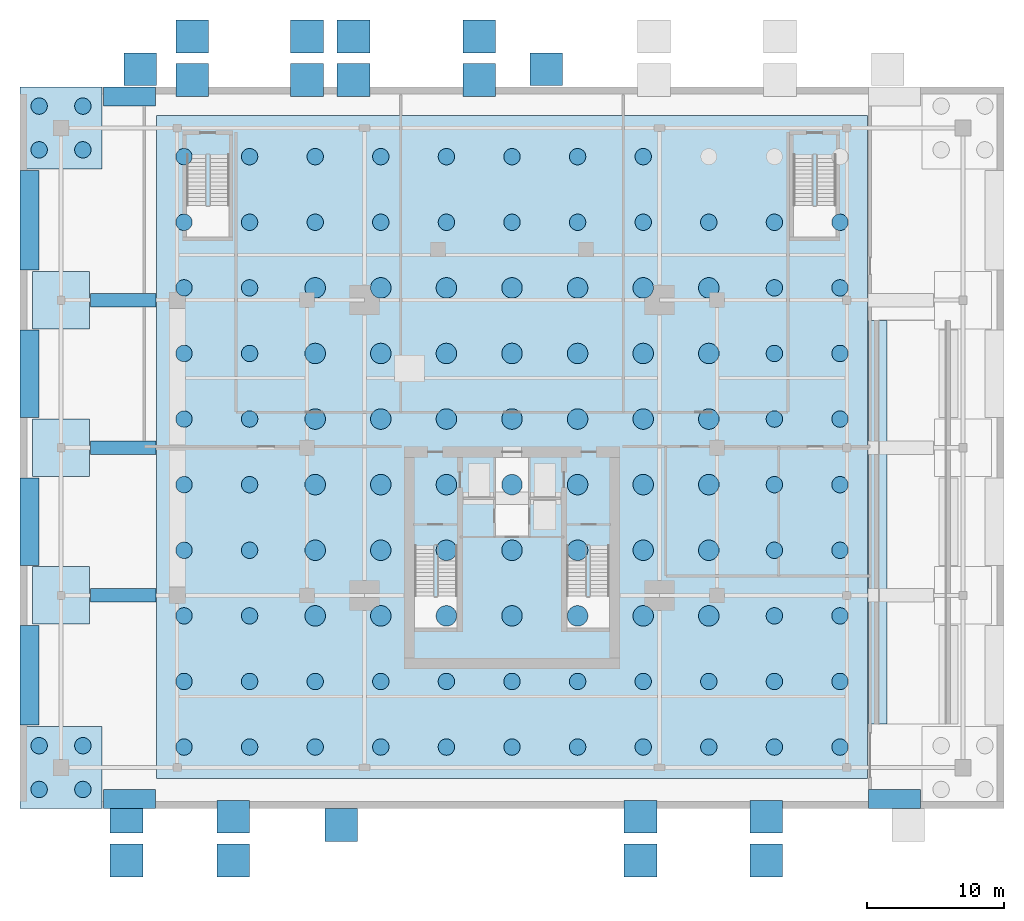
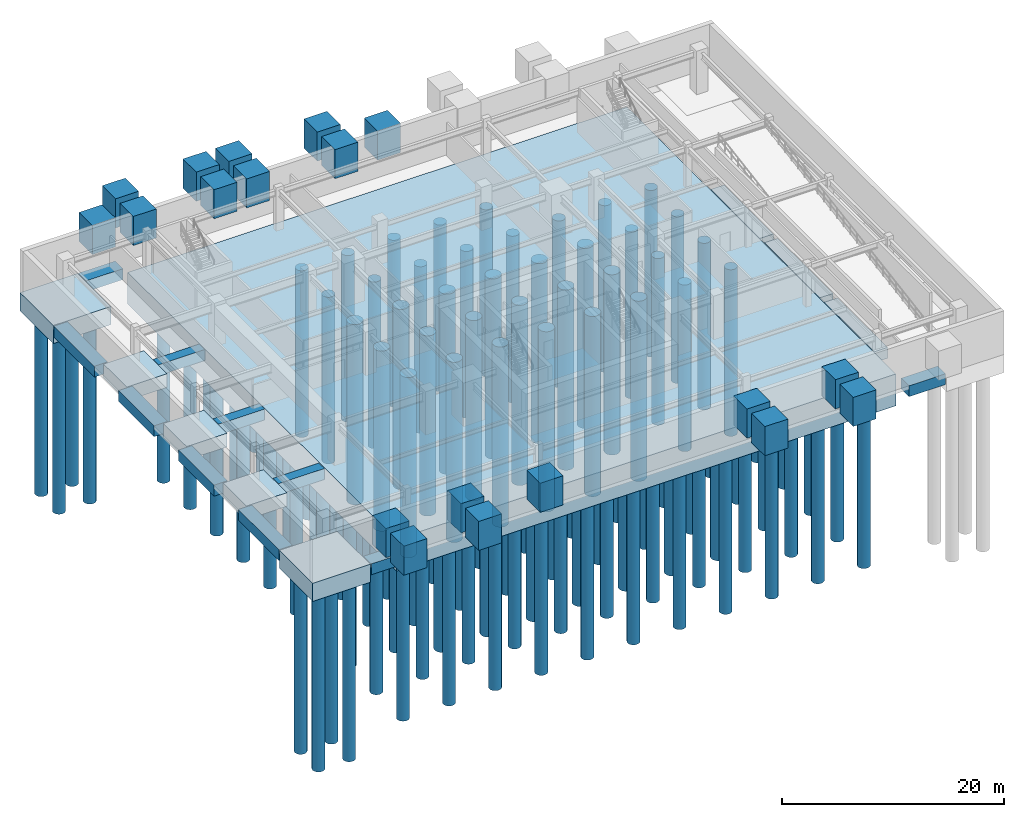
# One storey, part 1 of 9: 115 piles, 38 footings.
"""IFC4 building model written with IfcOpenShell, lengths in metres."""

from ifc_helpers import new_model, si_unit, direction, frame, origin, origin_2d, place, context, subcontext, project, spatial, polyline, rectangle, circle, outline, extrude, source, transform, mapped, material, layer, layer_set, material_profile, profile_set, type_object, type_shapes, element, save


model = new_model("IFC4")

# Units and contexts
model_context = context("Model", 3, precision=1e-05, world=origin(), true_north=direction((0.0, 1.0)))
body_context = subcontext(model_context, "Body", "Model", "MODEL_VIEW")
ifc_project = project(units=[si_unit("LENGTHUNIT", "METRE"), si_unit("AREAUNIT", "SQUARE_METRE"), si_unit("VOLUMEUNIT", "CUBIC_METRE"), si_unit("PLANEANGLEUNIT", "RADIAN"), si_unit("MASSUNIT", "GRAM", prefix="KILO")], contexts=[model_context])

# Site, building, storey
site_placement = place(None, origin())
site = spatial("IfcSite", under=ifc_project, at=site_placement, CompositionType="ELEMENT")
building_placement = place(site_placement, origin())
building = spatial("IfcBuilding", under=site, at=building_placement, Name="Krantzveldt Concourse Tower", CompositionType="ELEMENT")
storey_placement = place(building_placement, frame((0.0, 0.0, -4.800048828125)))
storey = spatial("IfcBuildingStorey", under=building, at=storey_placement, Name="B1", CompositionType="ELEMENT", Elevation=-4.800048828125)

# Footings
ifc_material_1 = material(Name="Concrete C60/75", Category="concrete")
ifc_layer_1 = layer(ifc_material_1, 3.5, Name="Concrete C60/75", Category="concrete")
ifc_layer_set_1 = layer_set([ifc_layer_1], Name="Concrete C60/75 (FT-RAFT-3500)")
footing_type_1 = type_object("IfcFootingType", Name="FT-RAFT-3500", PredefinedType="PILE_CAP", material=ifc_layer_set_1)
footing_1_placement = place(storey_placement, frame((0.0, 0.0, -3.5)))
element("IfcFooting", 1, at=footing_1_placement, inside=storey, type_object=footing_type_1, Name="Tower Piled Raft Foundation FC-RAFT", PredefinedType="PILE_CAP", context=body_context, shape_type="SweptSolid", body=[
    extrude(outline(polyline([(10.0, 2.5), (62.0, 2.5), (62.0, 51.0), (10.0, 51.0), (10.0, 2.5)])), origin(), (0.0, 0.0, 1.0), 3.5),
])
ifc_layer_2 = layer(ifc_material_1, 2.0, Name="Concrete C60/75", Category="concrete")
ifc_layer_set_2 = layer_set([ifc_layer_2], Name="Concrete C60/75 (FT-CAP-6000)")
footing_type_2 = type_object("IfcFootingType", Name="FT-CAP-6000", PredefinedType="PILE_CAP", material=ifc_layer_set_2)
shared_shape_1 = source(origin(), body_context, "Body", "SweptSolid", [
    extrude(rectangle(XDim=6.0, YDim=6.0, at=origin_2d()), origin(), (0.0, 0.0, 1.0), 2.0),
])
type_shapes(footing_type_2, [shared_shape_1])
for number, where, z_axis, x_axis, name in (
    (2, (3.0, 3.300048828125, -2.0), (0.0, 0.0, 1.0), (1.0, 0.0, 0.0), "Podium Corner Pile Cap FT-CAP-SW"),
    (3, (3.0, 50.10009765625, -2.0), (0.0, 0.0, 1.0), (1.0, 0.0, 0.0), "Podium Corner Pile Cap FT-CAP-NW"),
):
    element("IfcFooting", number, at=place(storey_placement, frame(where, z_axis=z_axis, x_axis=x_axis)), inside=storey, type_object=footing_type_2, Name=name, PredefinedType="PILE_CAP", context=body_context, shape_type="MappedRepresentation", body=[
        mapped(shared_shape_1, transform((0.0, 0.0, 0.0), x_axis=(1.0, 0.0, 0.0), y_axis=(0.0, 1.0, 0.0), z_axis=(0.0, 0.0, 1.0), scale=1.0)),
    ])

# Piles
ifc_material_2 = material(Name="Concrete C50/60", Category="concrete")
ifc_material_profile_1 = material_profile(ifc_material_2, circle(Radius=0.60009765625, at=origin_2d()), Name="Concrete C50/60", Category="concrete")
ifc_profile_set_1 = profile_set([ifc_material_profile_1], Name="Concrete C50/60 - PILE D1200")
pile_type_1 = type_object("IfcPileType", Name="PL-BORED-1200", PredefinedType="BORED", material=ifc_profile_set_1)
shared_shape_2 = source(origin(), body_context, "Body", "SweptSolid", [
    extrude(circle(Radius=0.60009765625, at=origin_2d()), origin(), (0.0, 0.0, 1.0), 19.85009765625),
])
for number, where, z_axis, x_axis, name in (
    (4, (1.39990234375, 1.699951171875, -1.849853515625), (0.0, 0.0, -1.0), (1.0, 0.0, 0.0), "Rock-Socketed Bored Pile FT-CAP-SW-1"),
    (5, (4.60009765625, 1.699951171875, -1.849853515625), (0.0, 0.0, -1.0), (1.0, 0.0, 0.0), "Rock-Socketed Bored Pile FT-CAP-SW-2"),
    (6, (4.60009765625, 4.89990234375, -1.849853515625), (0.0, 0.0, -1.0), (1.0, 0.0, 0.0), "Rock-Socketed Bored Pile FT-CAP-SW-3"),
    (7, (1.39990234375, 4.89990234375, -1.849853515625), (0.0, 0.0, -1.0), (1.0, 0.0, 0.0), "Rock-Socketed Bored Pile FT-CAP-SW-4"),
    (8, (1.39990234375, 48.5, -1.849853515625), (0.0, 0.0, -1.0), (1.0, 0.0, 0.0), "Rock-Socketed Bored Pile FT-CAP-NW-1"),
    (9, (4.60009765625, 48.5, -1.849853515625), (0.0, 0.0, -1.0), (1.0, 0.0, 0.0), "Rock-Socketed Bored Pile FT-CAP-NW-2"),
    (10, (4.60009765625, 51.699951171875, -1.849853515625), (0.0, 0.0, -1.0), (1.0, 0.0, 0.0), "Rock-Socketed Bored Pile FT-CAP-NW-3"),
    (11, (1.39990234375, 51.699951171875, -1.849853515625), (0.0, 0.0, -1.0), (1.0, 0.0, 0.0), "Rock-Socketed Bored Pile FT-CAP-NW-4"),
):
    element("IfcPile", number, at=place(storey_placement, frame(where, z_axis=z_axis, x_axis=x_axis)), inside=storey, type_object=pile_type_1, Name=name, PredefinedType="BORED", context=body_context, shape_type="MappedRepresentation", body=[
        mapped(shared_shape_2, transform((0.0, 0.0, 0.0), x_axis=(1.0, 0.0, 0.0), y_axis=(0.0, 1.0, 0.0), z_axis=(0.0, 0.0, 1.0), scale=1.0)),
    ])

# Footings
ifc_layer_3 = layer(ifc_material_2, 1.5, Name="Concrete C50/60", Category="concrete")
ifc_layer_set_3 = layer_set([ifc_layer_3], Name="Concrete C50/60 (FT-CAP-4800)")
footing_type_3 = type_object("IfcFootingType", Name="FT-CAP-4800", PredefinedType="PAD_FOOTING", material=ifc_layer_set_3)
shared_shape_3 = source(origin(), body_context, "Body", "SweptSolid", [
    extrude(rectangle(XDim=4.199951171875, YDim=4.199951171875, at=origin_2d()), origin(), (0.0, 0.0, 1.0), 1.5),
])
type_shapes(footing_type_3, [shared_shape_3])
for number, where, z_axis, x_axis, name in (
    (12, (3.0, 15.89990234375, -1.5), (0.0, 0.0, 1.0), (1.0, 0.0, 0.0), "Podium Pad Footing FT-PAD-W1"),
    (13, (3.0, 26.699951171875, -1.5), (0.0, 0.0, 1.0), (1.0, 0.0, 0.0), "Podium Pad Footing FT-PAD-W2"),
    (14, (3.0, 37.5, -1.5), (0.0, 0.0, 1.0), (1.0, 0.0, 0.0), "Podium Pad Footing FT-PAD-W3"),
):
    element("IfcFooting", number, at=place(storey_placement, frame(where, z_axis=z_axis, x_axis=x_axis)), inside=storey, type_object=footing_type_3, Name=name, PredefinedType="PAD_FOOTING", context=body_context, shape_type="MappedRepresentation", body=[
        mapped(shared_shape_3, transform((0.0, 0.0, 0.0), x_axis=(1.0, 0.0, 0.0), y_axis=(0.0, 1.0, 0.0), z_axis=(0.0, 0.0, 1.0), scale=1.0)),
    ])
ifc_material_3 = material(Name="Concrete C40/50", Category="concrete")
ifc_layer_4 = layer(ifc_material_3, 1.199951171875, Name="Concrete C40/50", Category="concrete")
ifc_layer_set_4 = layer_set([ifc_layer_4], Name="Concrete C40/50 (FT-PAD-2200)")
footing_type_4 = type_object("IfcFootingType", Name="FT-PAD-2200", PredefinedType="PAD_FOOTING", material=ifc_layer_set_4)
shared_shape_4 = source(origin(), body_context, "Body", "SweptSolid", [
    extrude(rectangle(XDim=2.39990234375, YDim=2.39990234375, at=origin_2d()), origin(), (0.0, 0.0, 1.0), 3.199951171875),
])
type_shapes(footing_type_4, [shared_shape_4])
for number, where, z_axis, x_axis, name in (
    (15, (12.60009765625, 56.800048828125, 1.60009765625), (0.0, 0.0, 1.0), (1.0, 0.0, 0.0), "Grade Support Pier Footing FT-CAN-N1W"),
    (16, (21.0, 56.800048828125, 1.60009765625), (0.0, 0.0, 1.0), (1.0, 0.0, 0.0), "Grade Support Pier Footing FT-CAN-N1E"),
    (17, (12.60009765625, 53.60009765625, 1.60009765625), (0.0, 0.0, 1.0), (1.0, 0.0, 0.0), "Grade Support Pier Footing FT-CAN-N1WI"),
    (18, (21.0, 53.60009765625, 1.60009765625), (0.0, 0.0, 1.0), (1.0, 0.0, 0.0), "Grade Support Pier Footing FT-CAN-N1EI"),
    (19, (24.39990234375, 56.800048828125, 1.60009765625), (0.0, 0.0, 1.0), (1.0, 0.0, 0.0), "Grade Support Pier Footing FT-CAN-N3W"),
    (20, (33.60009765625, 56.800048828125, 1.60009765625), (0.0, 0.0, 1.0), (1.0, 0.0, 0.0), "Grade Support Pier Footing FT-CAN-N3E"),
    (21, (24.39990234375, 53.60009765625, 1.60009765625), (0.0, 0.0, 1.0), (1.0, 0.0, 0.0), "Grade Support Pier Footing FT-CAN-N3WI"),
    (22, (33.60009765625, 53.60009765625, 1.60009765625), (0.0, 0.0, 1.0), (1.0, 0.0, 0.0), "Grade Support Pier Footing FT-CAN-N3EI"),
    (23, (7.800048828125, -3.5, 1.60009765625), (0.0, 0.0, 1.0), (1.0, 0.0, 0.0), "Grade Support Pier Footing FT-CAN-S1W"),
    (24, (15.60009765625, -3.5, 1.60009765625), (0.0, 0.0, 1.0), (1.0, 0.0, 0.0), "Grade Support Pier Footing FT-CAN-S1E"),
    (25, (7.800048828125, -0.300048828125, 1.60009765625), (0.0, 0.0, 1.0), (1.0, 0.0, 0.0), "Grade Support Pier Footing FT-CAN-S1WI"),
    (26, (15.60009765625, -0.300048828125, 1.60009765625), (0.0, 0.0, 1.0), (1.0, 0.0, 0.0), "Grade Support Pier Footing FT-CAN-S1EI"),
    (27, (45.39990234375, -3.5, 1.60009765625), (0.0, 0.0, 1.0), (1.0, 0.0, 0.0), "Grade Support Pier Footing FT-CAN-S2W"),
    (28, (54.60009765625, -3.5, 1.60009765625), (0.0, 0.0, 1.0), (1.0, 0.0, 0.0), "Grade Support Pier Footing FT-CAN-S2E"),
    (29, (45.39990234375, -0.300048828125, 1.60009765625), (0.0, 0.0, 1.0), (1.0, 0.0, 0.0), "Grade Support Pier Footing FT-CAN-S2WI"),
    (30, (54.60009765625, -0.300048828125, 1.60009765625), (0.0, 0.0, 1.0), (1.0, 0.0, 0.0), "Grade Support Pier Footing FT-CAN-S2EI"),
    (31, (8.800048828125, 54.39990234375, 1.4501953125), (0.0, 0.0, 1.0), (1.0, 0.0, 0.0), "Grade Support Pier Footing FT-RMP-N1"),
    (32, (23.5, -0.89990234375, 1.4501953125), (0.0, 0.0, 1.0), (1.0, 0.0, 0.0), "Grade Support Pier Footing FT-RMP-S1"),
    (33, (38.5, 54.39990234375, 1.4501953125), (0.0, 0.0, 1.0), (1.0, 0.0, 0.0), "Grade Support Pier Footing FT-RMP-N3"),
):
    element("IfcFooting", number, at=place(storey_placement, frame(where, z_axis=z_axis, x_axis=x_axis)), inside=storey, type_object=footing_type_4, Name=name, PredefinedType="PAD_FOOTING", context=body_context, shape_type="MappedRepresentation", body=[
        mapped(shared_shape_4, transform((0.0, 0.0, 0.0), x_axis=(1.0, 0.0, 0.0), y_axis=(0.0, 1.0, 0.0), z_axis=(0.0, 0.0, 1.0), scale=1.0)),
    ])
ifc_material_profile_2 = material_profile(ifc_material_2, rectangle(XDim=1.39990234375, YDim=1.199951171875, at=origin_2d()), Name="Concrete C50/60", Category="concrete")
ifc_profile_set_2 = profile_set([ifc_material_profile_2], Name="Concrete C50/60 - STRIP 1400x1200")
footing_type_5 = type_object("IfcFootingType", Name="FT-STRIP-1400", PredefinedType="STRIP_FOOTING", material=ifc_profile_set_2)
shared_shape_5 = source(origin(), body_context, "Body", "SweptSolid", [
    extrude(rectangle(XDim=1.39990234375, YDim=1.199951171875, at=origin_2d()), origin(), (0.0, 0.0, 1.0), 3.7998046875),
])
for number, where, z_axis, x_axis, name in (
    (34, (6.10009765625, 1.0, -0.599853515625), (1.0, 0.0, 0.0), (0.0, 1.0, 0.0), "FS-S1"),
    (35, (62.10009765625, 1.0, -0.599853515625), (1.0, 0.0, 0.0), (0.0, 1.0, 0.0), "FS-S2"),
    (36, (6.10009765625, 52.39990234375, -0.599853515625), (1.0, 0.0, 0.0), (0.0, 1.0, 0.0), "FS-N1"),
):
    element("IfcFooting", number, at=place(storey_placement, frame(where, z_axis=z_axis, x_axis=x_axis)), inside=storey, type_object=footing_type_5, Name=name, PredefinedType="STRIP_FOOTING", context=body_context, shape_type="MappedRepresentation", body=[
        mapped(shared_shape_5, transform((0.0, 0.0, 0.0), x_axis=(1.0, 0.0, 0.0), y_axis=(0.0, 1.0, 0.0), z_axis=(0.0, 0.0, 1.0), scale=1.0)),
    ])
shared_shape_6 = source(origin(), body_context, "Body", "SweptSolid", [
    extrude(rectangle(XDim=1.39990234375, YDim=1.199951171875, at=origin_2d()), origin(), (0.0, 0.0, 1.0), 7.300048828125),
])
for number, where, z_axis, x_axis, name in (
    (37, (0.699951171875, 6.39990234375, -0.599853515625), (0.0, 1.0, 0.0), (-1.0, 0.0, 0.0), "FS-W1"),
    (38, (0.699951171875, 39.699951171875, -0.599853515625), (0.0, 1.0, 0.0), (-1.0, 0.0, 0.0), "FS-W4"),
):
    element("IfcFooting", number, at=place(storey_placement, frame(where, z_axis=z_axis, x_axis=x_axis)), inside=storey, type_object=footing_type_5, Name=name, PredefinedType="STRIP_FOOTING", context=body_context, shape_type="MappedRepresentation", body=[
        mapped(shared_shape_6, transform((0.0, 0.0, 0.0), x_axis=(1.0, 0.0, 0.0), y_axis=(0.0, 1.0, 0.0), z_axis=(0.0, 0.0, 1.0), scale=1.0)),
    ])
shared_shape_7 = source(origin(), body_context, "Body", "SweptSolid", [
    extrude(rectangle(XDim=1.39990234375, YDim=1.199951171875, at=origin_2d()), origin(), (0.0, 0.0, 1.0), 6.39990234375),
])
footing_2_placement = place(storey_placement, frame((0.699951171875, 18.10009765625, -0.599853515625), z_axis=(0.0, 1.0, 0.0), x_axis=(-1.0, 0.0, 0.0)))
element("IfcFooting", 39, at=footing_2_placement, inside=storey, type_object=footing_type_5, Name="FS-W2", PredefinedType="STRIP_FOOTING", context=body_context, shape_type="MappedRepresentation", body=[
    mapped(shared_shape_7, transform((0.0, 0.0, 0.0), x_axis=(1.0, 0.0, 0.0), y_axis=(0.0, 1.0, 0.0), z_axis=(0.0, 0.0, 1.0), scale=1.0)),
])
shared_shape_8 = source(origin(), body_context, "Body", "SweptSolid", [
    extrude(rectangle(XDim=1.39990234375, YDim=1.199951171875, at=origin_2d()), origin(), (0.0, 0.0, 1.0), 6.400146484375),
])
footing_3_placement = place(storey_placement, frame((0.699951171875, 28.89990234375, -0.599853515625), z_axis=(0.0, 1.0, 0.0), x_axis=(-1.0, 0.0, 0.0)))
element("IfcFooting", 40, at=footing_3_placement, inside=storey, type_object=footing_type_5, Name="FS-W3", PredefinedType="STRIP_FOOTING", context=body_context, shape_type="MappedRepresentation", body=[
    mapped(shared_shape_8, transform((0.0, 0.0, 0.0), x_axis=(1.0, 0.0, 0.0), y_axis=(0.0, 1.0, 0.0), z_axis=(0.0, 0.0, 1.0), scale=1.0)),
])
shared_shape_9 = source(origin(), body_context, "Body", "SweptSolid", [
    extrude(rectangle(XDim=1.39990234375, YDim=1.199951171875, at=origin_2d()), origin(), (0.0, 0.0, 1.0), 9.0),
])
footing_4_placement = place(storey_placement, frame((62.75, 6.5, -0.599853515625), z_axis=(0.0, 1.0, 0.0), x_axis=(-1.0, 0.0, 0.0)))
element("IfcFooting", 41, at=footing_4_placement, inside=storey, type_object=footing_type_5, Name="FS-VRW1", PredefinedType="STRIP_FOOTING", context=body_context, shape_type="MappedRepresentation", body=[
    mapped(shared_shape_9, transform((0.0, 0.0, 0.0), x_axis=(1.0, 0.0, 0.0), y_axis=(0.0, 1.0, 0.0), z_axis=(0.0, 0.0, 1.0), scale=1.0)),
])
shared_shape_10 = source(origin(), body_context, "Body", "SweptSolid", [
    extrude(rectangle(XDim=1.39990234375, YDim=1.199951171875, at=origin_2d()), origin(), (0.0, 0.0, 1.0), 10.0),
])
footing_5_placement = place(storey_placement, frame((62.75, 16.300048828125, -0.599853515625), z_axis=(0.0, 1.0, 0.0), x_axis=(-1.0, 0.0, 0.0)))
element("IfcFooting", 42, at=footing_5_placement, inside=storey, type_object=footing_type_5, Name="FS-VRW2", PredefinedType="STRIP_FOOTING", context=body_context, shape_type="MappedRepresentation", body=[
    mapped(shared_shape_10, transform((0.0, 0.0, 0.0), x_axis=(1.0, 0.0, 0.0), y_axis=(0.0, 1.0, 0.0), z_axis=(0.0, 0.0, 1.0), scale=1.0)),
])
shared_shape_11 = source(origin(), body_context, "Body", "SweptSolid", [
    extrude(rectangle(XDim=1.39990234375, YDim=1.199951171875, at=origin_2d()), origin(), (0.0, 0.0, 1.0), 8.89990234375),
])
type_shapes(footing_type_5, [shared_shape_5, shared_shape_6, shared_shape_7, shared_shape_8, shared_shape_9, shared_shape_10, shared_shape_11])
footing_6_placement = place(storey_placement, frame((62.75, 27.10009765625, -0.599853515625), z_axis=(0.0, 1.0, 0.0), x_axis=(-1.0, 0.0, 0.0)))
element("IfcFooting", 43, at=footing_6_placement, inside=storey, type_object=footing_type_5, Name="FS-VRW3", PredefinedType="STRIP_FOOTING", context=body_context, shape_type="MappedRepresentation", body=[
    mapped(shared_shape_11, transform((0.0, 0.0, 0.0), x_axis=(1.0, 0.0, 0.0), y_axis=(0.0, 1.0, 0.0), z_axis=(0.0, 0.0, 1.0), scale=1.0)),
])
ifc_material_profile_3 = material_profile(ifc_material_2, rectangle(XDim=1.0, YDim=1.199951171875, at=origin_2d()), Name="Concrete C50/60", Category="concrete")
ifc_profile_set_3 = profile_set([ifc_material_profile_3], Name="Concrete C50/60 - FBEAM 1000x1200")
footing_type_6 = type_object("IfcFootingType", Name="FT-GBEAM-1000", PredefinedType="FOOTING_BEAM", material=ifc_profile_set_3)
shared_shape_12 = source(origin(), body_context, "Body", "SweptSolid", [
    extrude(rectangle(XDim=1.0, YDim=1.199951171875, at=origin_2d()), origin(), (0.0, 0.0, 1.0), 4.800048828125),
])
type_shapes(footing_type_6, [shared_shape_12])
for number, where, z_axis, x_axis, name in (
    (44, (5.14990234375, 15.89990234375, -0.599853515625), (1.0, 0.0, 0.0), (0.0, 1.0, 0.0), "FB-W1"),
    (45, (5.14990234375, 26.699951171875, -0.599853515625), (1.0, 0.0, 0.0), (0.0, 1.0, 0.0), "FB-W2"),
    (46, (5.14990234375, 37.5, -0.599853515625), (1.0, 0.0, 0.0), (0.0, 1.0, 0.0), "FB-W3"),
):
    element("IfcFooting", number, at=place(storey_placement, frame(where, z_axis=z_axis, x_axis=x_axis)), inside=storey, type_object=footing_type_6, Name=name, PredefinedType="FOOTING_BEAM", context=body_context, shape_type="MappedRepresentation", body=[
        mapped(shared_shape_12, transform((0.0, 0.0, 0.0), x_axis=(1.0, 0.0, 0.0), y_axis=(0.0, 1.0, 0.0), z_axis=(0.0, 0.0, 1.0), scale=1.0)),
    ])

# Piles
shared_shape_13 = source(origin(), body_context, "Body", "SweptSolid", [
    extrude(circle(Radius=0.60009765625, at=origin_2d()), origin(), (0.0, 0.0, 1.0), 18.35009765625),
])
type_shapes(pile_type_1, [shared_shape_2, shared_shape_13])
for number, where, z_axis, x_axis, name in (
    (47, (12.0, 4.800048828125, -3.349853515625), (0.0, 0.0, -1.0), (1.0, 0.0, 0.0), "Rock-Socketed Bored Pile 1"),
    (48, (12.0, 9.60009765625, -3.349853515625), (0.0, 0.0, -1.0), (1.0, 0.0, 0.0), "Rock-Socketed Bored Pile 2"),
    (49, (12.0, 14.39990234375, -3.349853515625), (0.0, 0.0, -1.0), (1.0, 0.0, 0.0), "Rock-Socketed Bored Pile 3"),
    (50, (12.0, 19.199951171875, -3.349853515625), (0.0, 0.0, -1.0), (1.0, 0.0, 0.0), "Rock-Socketed Bored Pile 4"),
    (51, (12.0, 24.0, -3.349853515625), (0.0, 0.0, -1.0), (1.0, 0.0, 0.0), "Rock-Socketed Bored Pile 5"),
    (52, (12.0, 28.800048828125, -3.349853515625), (0.0, 0.0, -1.0), (1.0, 0.0, 0.0), "Rock-Socketed Bored Pile 6"),
    (53, (12.0, 33.60009765625, -3.349853515625), (0.0, 0.0, -1.0), (1.0, 0.0, 0.0), "Rock-Socketed Bored Pile 7"),
    (54, (12.0, 38.39990234375, -3.349853515625), (0.0, 0.0, -1.0), (1.0, 0.0, 0.0), "Rock-Socketed Bored Pile 8"),
    (55, (12.0, 43.199951171875, -3.349853515625), (0.0, 0.0, -1.0), (1.0, 0.0, 0.0), "Rock-Socketed Bored Pile 9"),
    (56, (12.0, 48.0, -3.349853515625), (0.0, 0.0, -1.0), (1.0, 0.0, 0.0), "Rock-Socketed Bored Pile 10"),
    (57, (16.800048828125, 4.800048828125, -3.349853515625), (0.0, 0.0, -1.0), (1.0, 0.0, 0.0), "Rock-Socketed Bored Pile 11"),
    (58, (16.800048828125, 9.60009765625, -3.349853515625), (0.0, 0.0, -1.0), (1.0, 0.0, 0.0), "Rock-Socketed Bored Pile 12"),
    (59, (16.800048828125, 14.39990234375, -3.349853515625), (0.0, 0.0, -1.0), (1.0, 0.0, 0.0), "Rock-Socketed Bored Pile 13"),
    (60, (16.800048828125, 19.199951171875, -3.349853515625), (0.0, 0.0, -1.0), (1.0, 0.0, 0.0), "Rock-Socketed Bored Pile 14"),
    (61, (16.800048828125, 24.0, -3.349853515625), (0.0, 0.0, -1.0), (1.0, 0.0, 0.0), "Rock-Socketed Bored Pile 15"),
    (62, (16.800048828125, 28.800048828125, -3.349853515625), (0.0, 0.0, -1.0), (1.0, 0.0, 0.0), "Rock-Socketed Bored Pile 16"),
    (63, (16.800048828125, 33.60009765625, -3.349853515625), (0.0, 0.0, -1.0), (1.0, 0.0, 0.0), "Rock-Socketed Bored Pile 17"),
    (64, (16.800048828125, 38.39990234375, -3.349853515625), (0.0, 0.0, -1.0), (1.0, 0.0, 0.0), "Rock-Socketed Bored Pile 18"),
    (65, (16.800048828125, 43.199951171875, -3.349853515625), (0.0, 0.0, -1.0), (1.0, 0.0, 0.0), "Rock-Socketed Bored Pile 19"),
    (66, (16.800048828125, 48.0, -3.349853515625), (0.0, 0.0, -1.0), (1.0, 0.0, 0.0), "Rock-Socketed Bored Pile 20"),
    (67, (21.60009765625, 4.800048828125, -3.349853515625), (0.0, 0.0, -1.0), (1.0, 0.0, 0.0), "Rock-Socketed Bored Pile 21"),
    (68, (21.60009765625, 9.60009765625, -3.349853515625), (0.0, 0.0, -1.0), (1.0, 0.0, 0.0), "Rock-Socketed Bored Pile 22"),
    (69, (21.60009765625, 43.199951171875, -3.349853515625), (0.0, 0.0, -1.0), (1.0, 0.0, 0.0), "Rock-Socketed Bored Pile 29"),
    (70, (21.60009765625, 48.0, -3.349853515625), (0.0, 0.0, -1.0), (1.0, 0.0, 0.0), "Rock-Socketed Bored Pile 30"),
    (71, (26.39990234375, 4.800048828125, -3.349853515625), (0.0, 0.0, -1.0), (1.0, 0.0, 0.0), "Rock-Socketed Bored Pile 31"),
    (72, (26.39990234375, 9.60009765625, -3.349853515625), (0.0, 0.0, -1.0), (1.0, 0.0, 0.0), "Rock-Socketed Bored Pile 32"),
    (73, (26.39990234375, 43.199951171875, -3.349853515625), (0.0, 0.0, -1.0), (1.0, 0.0, 0.0), "Rock-Socketed Bored Pile 39"),
    (74, (26.39990234375, 48.0, -3.349853515625), (0.0, 0.0, -1.0), (1.0, 0.0, 0.0), "Rock-Socketed Bored Pile 40"),
    (75, (31.199951171875, 4.800048828125, -3.349853515625), (0.0, 0.0, -1.0), (1.0, 0.0, 0.0), "Rock-Socketed Bored Pile 41"),
    (76, (31.199951171875, 9.60009765625, -3.349853515625), (0.0, 0.0, -1.0), (1.0, 0.0, 0.0), "Rock-Socketed Bored Pile 42"),
    (77, (31.199951171875, 43.199951171875, -3.349853515625), (0.0, 0.0, -1.0), (1.0, 0.0, 0.0), "Rock-Socketed Bored Pile 49"),
    (78, (31.199951171875, 48.0, -3.349853515625), (0.0, 0.0, -1.0), (1.0, 0.0, 0.0), "Rock-Socketed Bored Pile 50"),
    (79, (36.0, 4.800048828125, -3.349853515625), (0.0, 0.0, -1.0), (1.0, 0.0, 0.0), "Rock-Socketed Bored Pile 51"),
    (80, (36.0, 9.60009765625, -3.349853515625), (0.0, 0.0, -1.0), (1.0, 0.0, 0.0), "Rock-Socketed Bored Pile 52"),
    (81, (36.0, 43.199951171875, -3.349853515625), (0.0, 0.0, -1.0), (1.0, 0.0, 0.0), "Rock-Socketed Bored Pile 59"),
    (82, (36.0, 48.0, -3.349853515625), (0.0, 0.0, -1.0), (1.0, 0.0, 0.0), "Rock-Socketed Bored Pile 60"),
    (83, (40.800048828125, 4.800048828125, -3.349853515625), (0.0, 0.0, -1.0), (1.0, 0.0, 0.0), "Rock-Socketed Bored Pile 61"),
    (84, (40.800048828125, 9.60009765625, -3.349853515625), (0.0, 0.0, -1.0), (1.0, 0.0, 0.0), "Rock-Socketed Bored Pile 62"),
    (85, (40.800048828125, 43.199951171875, -3.349853515625), (0.0, 0.0, -1.0), (1.0, 0.0, 0.0), "Rock-Socketed Bored Pile 69"),
    (86, (40.800048828125, 48.0, -3.349853515625), (0.0, 0.0, -1.0), (1.0, 0.0, 0.0), "Rock-Socketed Bored Pile 70"),
    (87, (45.60009765625, 4.800048828125, -3.349853515625), (0.0, 0.0, -1.0), (1.0, 0.0, 0.0), "Rock-Socketed Bored Pile 71"),
    (88, (45.60009765625, 9.60009765625, -3.349853515625), (0.0, 0.0, -1.0), (1.0, 0.0, 0.0), "Rock-Socketed Bored Pile 72"),
    (89, (45.60009765625, 43.199951171875, -3.349853515625), (0.0, 0.0, -1.0), (1.0, 0.0, 0.0), "Rock-Socketed Bored Pile 79"),
    (90, (45.60009765625, 48.0, -3.349853515625), (0.0, 0.0, -1.0), (1.0, 0.0, 0.0), "Rock-Socketed Bored Pile 80"),
    (91, (50.39990234375, 4.800048828125, -3.349853515625), (0.0, 0.0, -1.0), (1.0, 0.0, 0.0), "Rock-Socketed Bored Pile 81"),
    (92, (50.39990234375, 9.60009765625, -3.349853515625), (0.0, 0.0, -1.0), (1.0, 0.0, 0.0), "Rock-Socketed Bored Pile 82"),
    (93, (50.39990234375, 43.199951171875, -3.349853515625), (0.0, 0.0, -1.0), (1.0, 0.0, 0.0), "Rock-Socketed Bored Pile 89"),
    (94, (55.199951171875, 4.800048828125, -3.349853515625), (0.0, 0.0, -1.0), (1.0, 0.0, 0.0), "Rock-Socketed Bored Pile 91"),
    (95, (55.199951171875, 9.60009765625, -3.349853515625), (0.0, 0.0, -1.0), (1.0, 0.0, 0.0), "Rock-Socketed Bored Pile 92"),
    (96, (55.199951171875, 14.39990234375, -3.349853515625), (0.0, 0.0, -1.0), (1.0, 0.0, 0.0), "Rock-Socketed Bored Pile 93"),
    (97, (55.199951171875, 19.199951171875, -3.349853515625), (0.0, 0.0, -1.0), (1.0, 0.0, 0.0), "Rock-Socketed Bored Pile 94"),
    (98, (55.199951171875, 24.0, -3.349853515625), (0.0, 0.0, -1.0), (1.0, 0.0, 0.0), "Rock-Socketed Bored Pile 95"),
    (99, (55.199951171875, 28.800048828125, -3.349853515625), (0.0, 0.0, -1.0), (1.0, 0.0, 0.0), "Rock-Socketed Bored Pile 96"),
    (100, (55.199951171875, 33.60009765625, -3.349853515625), (0.0, 0.0, -1.0), (1.0, 0.0, 0.0), "Rock-Socketed Bored Pile 97"),
    (101, (55.199951171875, 38.39990234375, -3.349853515625), (0.0, 0.0, -1.0), (1.0, 0.0, 0.0), "Rock-Socketed Bored Pile 98"),
    (102, (55.199951171875, 43.199951171875, -3.349853515625), (0.0, 0.0, -1.0), (1.0, 0.0, 0.0), "Rock-Socketed Bored Pile 99"),
    (103, (60.0, 4.800048828125, -3.349853515625), (0.0, 0.0, -1.0), (1.0, 0.0, 0.0), "Rock-Socketed Bored Pile 101"),
    (104, (60.0, 9.60009765625, -3.349853515625), (0.0, 0.0, -1.0), (1.0, 0.0, 0.0), "Rock-Socketed Bored Pile 102"),
    (105, (60.0, 14.39990234375, -3.349853515625), (0.0, 0.0, -1.0), (1.0, 0.0, 0.0), "Rock-Socketed Bored Pile 103"),
    (106, (60.0, 19.199951171875, -3.349853515625), (0.0, 0.0, -1.0), (1.0, 0.0, 0.0), "Rock-Socketed Bored Pile 104"),
    (107, (60.0, 24.0, -3.349853515625), (0.0, 0.0, -1.0), (1.0, 0.0, 0.0), "Rock-Socketed Bored Pile 105"),
    (108, (60.0, 28.800048828125, -3.349853515625), (0.0, 0.0, -1.0), (1.0, 0.0, 0.0), "Rock-Socketed Bored Pile 106"),
    (109, (60.0, 33.60009765625, -3.349853515625), (0.0, 0.0, -1.0), (1.0, 0.0, 0.0), "Rock-Socketed Bored Pile 107"),
    (110, (60.0, 38.39990234375, -3.349853515625), (0.0, 0.0, -1.0), (1.0, 0.0, 0.0), "Rock-Socketed Bored Pile 108"),
    (111, (60.0, 43.199951171875, -3.349853515625), (0.0, 0.0, -1.0), (1.0, 0.0, 0.0), "Rock-Socketed Bored Pile 109"),
):
    element("IfcPile", number, at=place(storey_placement, frame(where, z_axis=z_axis, x_axis=x_axis)), inside=storey, type_object=pile_type_1, Name=name, PredefinedType="BORED", context=body_context, shape_type="MappedRepresentation", body=[
        mapped(shared_shape_13, transform((0.0, 0.0, 0.0), x_axis=(1.0, 0.0, 0.0), y_axis=(0.0, 1.0, 0.0), z_axis=(0.0, 0.0, 1.0), scale=1.0)),
    ])
ifc_material_profile_4 = material_profile(ifc_material_2, circle(Radius=0.75, at=origin_2d()), Name="Concrete C50/60", Category="concrete")
ifc_profile_set_4 = profile_set([ifc_material_profile_4], Name="Concrete C50/60 - PILE D1500")
pile_type_2 = type_object("IfcPileType", Name="PL-BORED-1500", PredefinedType="BORED", material=ifc_profile_set_4)
shared_shape_14 = source(origin(), body_context, "Body", "SweptSolid", [
    extrude(circle(Radius=0.75, at=origin_2d()), origin(), (0.0, 0.0, 1.0), 19.85009765625),
])
type_shapes(pile_type_2, [shared_shape_14])
for number, where, z_axis, x_axis, name in (
    (112, (21.60009765625, 14.39990234375, -3.349853515625), (0.0, 0.0, -1.0), (1.0, 0.0, 0.0), "Rock-Socketed Bored Pile 23"),
    (113, (21.60009765625, 19.199951171875, -3.349853515625), (0.0, 0.0, -1.0), (1.0, 0.0, 0.0), "Rock-Socketed Bored Pile 24"),
    (114, (21.60009765625, 24.0, -3.349853515625), (0.0, 0.0, -1.0), (1.0, 0.0, 0.0), "Rock-Socketed Bored Pile 25"),
    (115, (21.60009765625, 28.800048828125, -3.349853515625), (0.0, 0.0, -1.0), (1.0, 0.0, 0.0), "Rock-Socketed Bored Pile 26"),
    (116, (21.60009765625, 33.60009765625, -3.349853515625), (0.0, 0.0, -1.0), (1.0, 0.0, 0.0), "Rock-Socketed Bored Pile 27"),
    (117, (21.60009765625, 38.39990234375, -3.349853515625), (0.0, 0.0, -1.0), (1.0, 0.0, 0.0), "Rock-Socketed Bored Pile 28"),
    (118, (26.39990234375, 14.39990234375, -3.349853515625), (0.0, 0.0, -1.0), (1.0, 0.0, 0.0), "Rock-Socketed Bored Pile 33"),
    (119, (26.39990234375, 19.199951171875, -3.349853515625), (0.0, 0.0, -1.0), (1.0, 0.0, 0.0), "Rock-Socketed Bored Pile 34"),
    (120, (26.39990234375, 24.0, -3.349853515625), (0.0, 0.0, -1.0), (1.0, 0.0, 0.0), "Rock-Socketed Bored Pile 35"),
    (121, (26.39990234375, 28.800048828125, -3.349853515625), (0.0, 0.0, -1.0), (1.0, 0.0, 0.0), "Rock-Socketed Bored Pile 36"),
    (122, (26.39990234375, 33.60009765625, -3.349853515625), (0.0, 0.0, -1.0), (1.0, 0.0, 0.0), "Rock-Socketed Bored Pile 37"),
    (123, (26.39990234375, 38.39990234375, -3.349853515625), (0.0, 0.0, -1.0), (1.0, 0.0, 0.0), "Rock-Socketed Bored Pile 38"),
    (124, (31.199951171875, 14.39990234375, -3.349853515625), (0.0, 0.0, -1.0), (1.0, 0.0, 0.0), "Rock-Socketed Bored Pile 43"),
    (125, (31.199951171875, 19.199951171875, -3.349853515625), (0.0, 0.0, -1.0), (1.0, 0.0, 0.0), "Rock-Socketed Bored Pile 44"),
    (126, (31.199951171875, 24.0, -3.349853515625), (0.0, 0.0, -1.0), (1.0, 0.0, 0.0), "Rock-Socketed Bored Pile 45"),
    (127, (31.199951171875, 28.800048828125, -3.349853515625), (0.0, 0.0, -1.0), (1.0, 0.0, 0.0), "Rock-Socketed Bored Pile 46"),
    (128, (31.199951171875, 33.60009765625, -3.349853515625), (0.0, 0.0, -1.0), (1.0, 0.0, 0.0), "Rock-Socketed Bored Pile 47"),
    (129, (31.199951171875, 38.39990234375, -3.349853515625), (0.0, 0.0, -1.0), (1.0, 0.0, 0.0), "Rock-Socketed Bored Pile 48"),
    (130, (36.0, 14.39990234375, -3.349853515625), (0.0, 0.0, -1.0), (1.0, 0.0, 0.0), "Rock-Socketed Bored Pile 53"),
    (131, (36.0, 19.199951171875, -3.349853515625), (0.0, 0.0, -1.0), (1.0, 0.0, 0.0), "Rock-Socketed Bored Pile 54"),
    (132, (36.0, 24.0, -3.349853515625), (0.0, 0.0, -1.0), (1.0, 0.0, 0.0), "Rock-Socketed Bored Pile 55"),
    (133, (36.0, 28.800048828125, -3.349853515625), (0.0, 0.0, -1.0), (1.0, 0.0, 0.0), "Rock-Socketed Bored Pile 56"),
    (134, (36.0, 33.60009765625, -3.349853515625), (0.0, 0.0, -1.0), (1.0, 0.0, 0.0), "Rock-Socketed Bored Pile 57"),
    (135, (36.0, 38.39990234375, -3.349853515625), (0.0, 0.0, -1.0), (1.0, 0.0, 0.0), "Rock-Socketed Bored Pile 58"),
    (136, (40.800048828125, 14.39990234375, -3.349853515625), (0.0, 0.0, -1.0), (1.0, 0.0, 0.0), "Rock-Socketed Bored Pile 63"),
    (137, (40.800048828125, 19.199951171875, -3.349853515625), (0.0, 0.0, -1.0), (1.0, 0.0, 0.0), "Rock-Socketed Bored Pile 64"),
    (138, (40.800048828125, 24.0, -3.349853515625), (0.0, 0.0, -1.0), (1.0, 0.0, 0.0), "Rock-Socketed Bored Pile 65"),
    (139, (40.800048828125, 28.800048828125, -3.349853515625), (0.0, 0.0, -1.0), (1.0, 0.0, 0.0), "Rock-Socketed Bored Pile 66"),
    (140, (40.800048828125, 33.60009765625, -3.349853515625), (0.0, 0.0, -1.0), (1.0, 0.0, 0.0), "Rock-Socketed Bored Pile 67"),
    (141, (40.800048828125, 38.39990234375, -3.349853515625), (0.0, 0.0, -1.0), (1.0, 0.0, 0.0), "Rock-Socketed Bored Pile 68"),
    (142, (45.60009765625, 14.39990234375, -3.349853515625), (0.0, 0.0, -1.0), (1.0, 0.0, 0.0), "Rock-Socketed Bored Pile 73"),
    (143, (45.60009765625, 19.199951171875, -3.349853515625), (0.0, 0.0, -1.0), (1.0, 0.0, 0.0), "Rock-Socketed Bored Pile 74"),
    (144, (45.60009765625, 24.0, -3.349853515625), (0.0, 0.0, -1.0), (1.0, 0.0, 0.0), "Rock-Socketed Bored Pile 75"),
    (145, (45.60009765625, 28.800048828125, -3.349853515625), (0.0, 0.0, -1.0), (1.0, 0.0, 0.0), "Rock-Socketed Bored Pile 76"),
    (146, (45.60009765625, 33.60009765625, -3.349853515625), (0.0, 0.0, -1.0), (1.0, 0.0, 0.0), "Rock-Socketed Bored Pile 77"),
    (147, (45.60009765625, 38.39990234375, -3.349853515625), (0.0, 0.0, -1.0), (1.0, 0.0, 0.0), "Rock-Socketed Bored Pile 78"),
    (148, (50.39990234375, 14.39990234375, -3.349853515625), (0.0, 0.0, -1.0), (1.0, 0.0, 0.0), "Rock-Socketed Bored Pile 83"),
    (149, (50.39990234375, 19.199951171875, -3.349853515625), (0.0, 0.0, -1.0), (1.0, 0.0, 0.0), "Rock-Socketed Bored Pile 84"),
    (150, (50.39990234375, 24.0, -3.349853515625), (0.0, 0.0, -1.0), (1.0, 0.0, 0.0), "Rock-Socketed Bored Pile 85"),
    (151, (50.39990234375, 28.800048828125, -3.349853515625), (0.0, 0.0, -1.0), (1.0, 0.0, 0.0), "Rock-Socketed Bored Pile 86"),
    (152, (50.39990234375, 33.60009765625, -3.349853515625), (0.0, 0.0, -1.0), (1.0, 0.0, 0.0), "Rock-Socketed Bored Pile 87"),
    (153, (50.39990234375, 38.39990234375, -3.349853515625), (0.0, 0.0, -1.0), (1.0, 0.0, 0.0), "Rock-Socketed Bored Pile 88"),
):
    element("IfcPile", number, at=place(storey_placement, frame(where, z_axis=z_axis, x_axis=x_axis)), inside=storey, type_object=pile_type_2, Name=name, PredefinedType="BORED", context=body_context, shape_type="MappedRepresentation", body=[
        mapped(shared_shape_14, transform((0.0, 0.0, 0.0), x_axis=(1.0, 0.0, 0.0), y_axis=(0.0, 1.0, 0.0), z_axis=(0.0, 0.0, 1.0), scale=1.0)),
    ])

save(model, "model.ifc")
